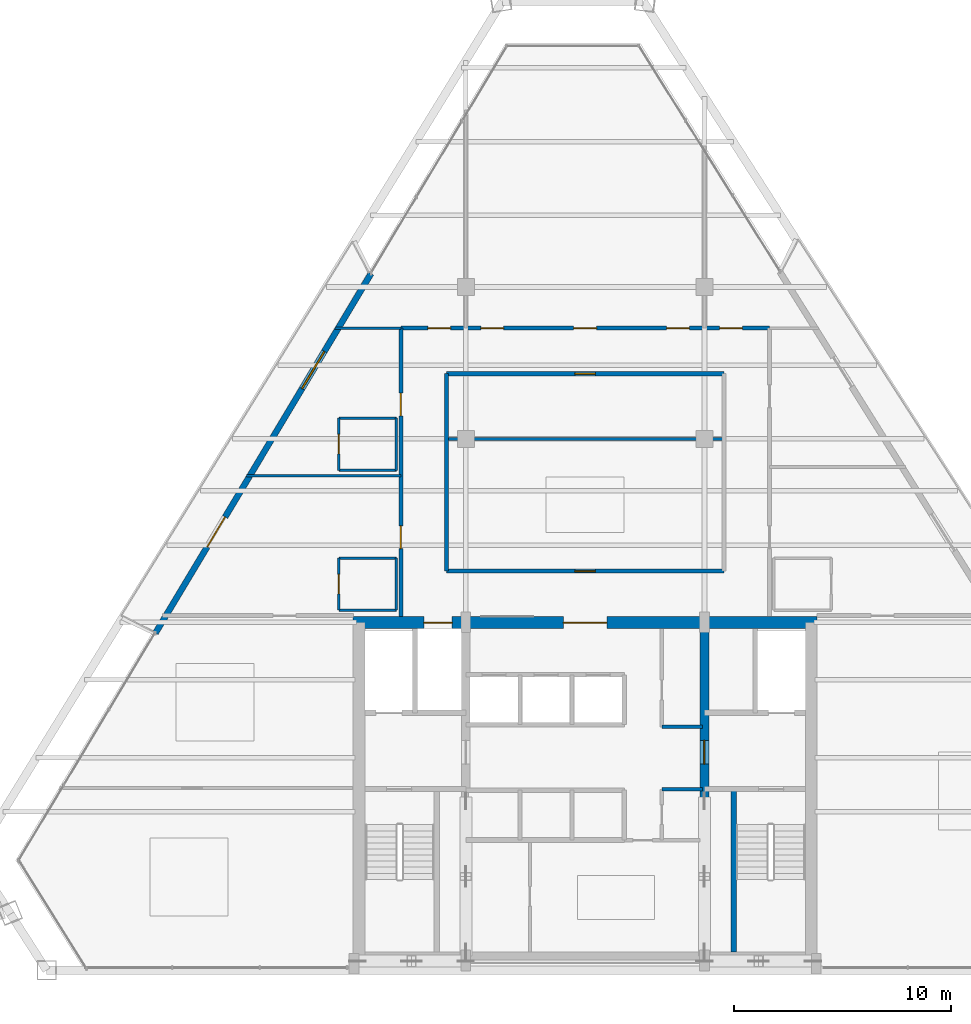
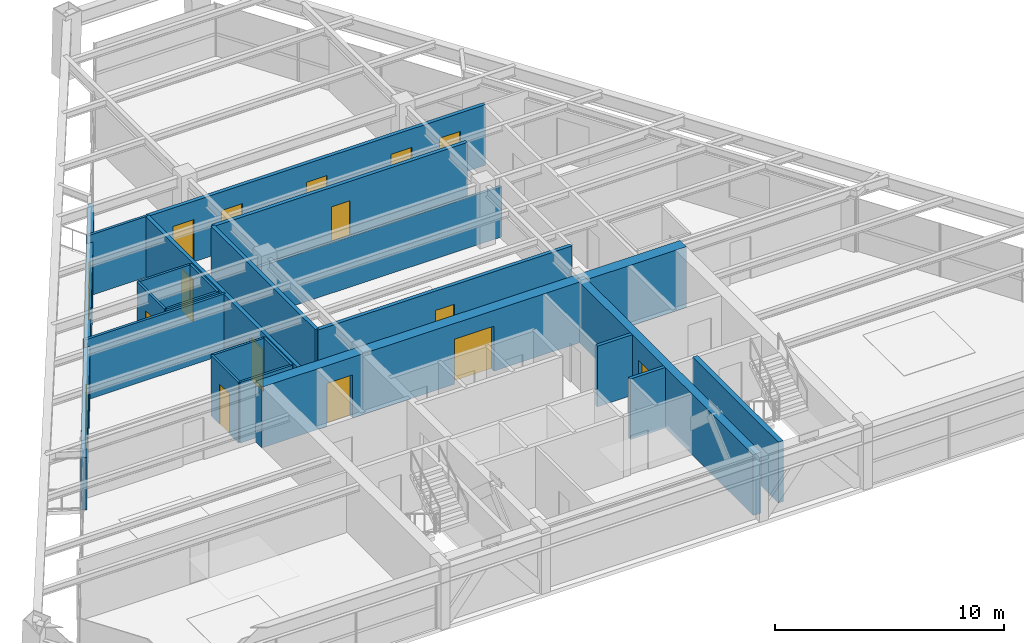
# One storey, part 9 of 12: 22 walls, 15 doors, 1 window, 16 openings.
"""IFC4 building model written with IfcOpenShell, lengths in metres."""

from ifc_helpers import new_model, si_unit, direction, frame, frame_2d, origin, place, context, subcontext, project, spatial, rectangle, extrude, source, transform, mapped, material, layer, layer_set, type_object, type_shapes, element, fill, save


model = new_model("IFC4")

# Units and contexts
model_context = context("Model", 3, precision=1e-05, world=origin(), true_north=direction((0.0, 1.0)))
body_context = subcontext(model_context, "Body", "Model", "MODEL_VIEW")
ifc_project = project(units=[si_unit("LENGTHUNIT", "METRE"), si_unit("AREAUNIT", "SQUARE_METRE"), si_unit("VOLUMEUNIT", "CUBIC_METRE"), si_unit("PLANEANGLEUNIT", "RADIAN"), si_unit("MASSUNIT", "GRAM", prefix="KILO")], contexts=[model_context])

# Site, building, storey
site_placement = place(None, origin())
site = spatial("IfcSite", under=ifc_project, at=site_placement, CompositionType="ELEMENT")
building_placement = place(site_placement, origin())
building = spatial("IfcBuilding", under=site, at=building_placement, Name="Varnakhor Terracotta Tower", CompositionType="ELEMENT")
storey_placement = place(building_placement, frame((0.0, 0.0, 220.0)))
storey = spatial("IfcBuildingStorey", under=building, at=storey_placement, Name="L56", CompositionType="ELEMENT", Elevation=220.0)

# Walls
ifc_material_1 = material(Name="Moisture-Resistant Tile-Backed Partition", Category="gypsum")
ifc_layer_1 = layer(ifc_material_1, 0.114990234375, Name="Moisture-Resistant Tile-Backed Partition")
ifc_layer_set_1 = layer_set([ifc_layer_1], Name="Moisture-Resistant Tile-Backed Partition")
wall_type_1 = type_object("IfcWallType", Name="WAL-BATH-115", PredefinedType="PARTITIONING", material=ifc_layer_set_1)
for number, where, z_axis, x_axis, name in (
    (1, (-11.35009765625, 16.60009765625, 0.0), (0.0, 0.0, 1.0), (1.0, 0.0, 0.0), "L56 En-Suite 1 Wall S"),
    (2, (-11.35009765625, 19.0, 0.0), (0.0, 0.0, 1.0), (1.0, 0.0, 0.0), "L56 En-Suite 1 Wall N"),
):
    element("IfcWall", number, at=place(storey_placement, frame(where, z_axis=z_axis, x_axis=x_axis)), inside=storey, type_object=wall_type_1, Name=name, PredefinedType="PARTITIONING", context=body_context, shape_type="SweptSolid", body=[
        extrude(rectangle(XDim=2.650146484375, YDim=0.114990234375, at=frame_2d((1.3251953125, 0.0))), origin(), (0.0, 0.0, 1.0), 3.23193359375),
    ])

# Wall, opening, door
wall_1_placement = place(storey_placement, frame((-11.35009765625, 16.60009765625, 0.0), z_axis=(0.0, 0.0, 1.0), x_axis=(0.0, 1.0, 0.0)))
wall_1 = element("IfcWall", 3, at=wall_1_placement, inside=storey, type_object=wall_type_1, Name="L56 En-Suite 1 Wall W", PredefinedType="PARTITIONING", context=body_context, shape_type="SweptSolid", body=[
    extrude(rectangle(XDim=2.39990234375, YDim=0.114990234375, at=frame_2d((1.199951171875, 0.0))), origin(), (0.0, 0.0, 1.0), 3.23193359375),
])
opening_1_placement = place(wall_1_placement, frame((0.75, 0.0, 0.0)))
opening_1 = element("IfcOpeningElement", 4, at=opening_1_placement, cuts=wall_1, Name="Opening DR-93", PredefinedType="OPENING", context=body_context, shape_type="SweptSolid", body=[
    extrude(rectangle(XDim=0.89990234375, YDim=2.14990234375, at=frame_2d((0.449951171875, 1.074951171875))), frame((0.0, 0.0673828125, 0.0), z_axis=(0.0, -1.0, 0.0), x_axis=(1.0, 0.0, 0.0)), (0.0, 0.0, 1.0), 0.135009765625),
])
ifc_material_2 = material(Name="Moisture-Resistant Accessible Bathroom Door", Category="wood")
door_type_1 = type_object("IfcDoorType", Name="DR-BATH-900X2150", OperationType="NOTDEFINED", PredefinedType="DOOR", material=ifc_material_2)
shared_shape_1 = source(origin(), body_context, "Body", "SweptSolid", [
    extrude(rectangle(XDim=0.89990234375, YDim=2.14990234375, at=frame_2d((0.449951171875, 1.074951171875))), frame((0.0, 0.02490234375, 0.0), z_axis=(0.0, -1.0, 0.0), x_axis=(1.0, 0.0, 0.0)), (0.0, 0.0, 1.0), 0.050048828125),
])
type_shapes(door_type_1, [shared_shape_1])
door_1_placement = place(opening_1_placement, origin())
door_1 = element("IfcDoor", 5, at=door_1_placement, inside=storey, type_object=door_type_1, Name="L56 En-Suite Bathroom 1 Door", OperationType="SINGLE_SWING_LEFT", OverallHeight=2.14990234375, OverallWidth=0.89990234375, PredefinedType="DOOR", context=body_context, shape_type="MappedRepresentation", body=[
    mapped(shared_shape_1, transform((0.0, 0.0, 0.0), scale=1.0)),
])
fill(opening_1, door_1)

# Walls
wall_2_placement = place(storey_placement, frame((-8.699951171875, 16.60009765625, 0.0), z_axis=(0.0, 0.0, 1.0), x_axis=(0.0, 1.0, 0.0)))
element("IfcWall", 6, at=wall_2_placement, inside=storey, type_object=wall_type_1, Name="L56 En-Suite 1 Wall E", PredefinedType="PARTITIONING", context=body_context, shape_type="SweptSolid", body=[
    extrude(rectangle(XDim=2.39990234375, YDim=0.114990234375, at=frame_2d((1.199951171875, 0.0))), origin(), (0.0, 0.0, 1.0), 3.23193359375),
])
for number, where, z_axis, x_axis, name in (
    (7, (-11.35009765625, 23.050048828125, 0.0), (0.0, 0.0, 1.0), (1.0, 0.0, 0.0), "L56 En-Suite 2 Wall S"),
    (8, (-11.35009765625, 25.449951171875, 0.0), (0.0, 0.0, 1.0), (1.0, 0.0, 0.0), "L56 En-Suite 2 Wall N"),
):
    element("IfcWall", number, at=place(storey_placement, frame(where, z_axis=z_axis, x_axis=x_axis)), inside=storey, type_object=wall_type_1, Name=name, PredefinedType="PARTITIONING", context=body_context, shape_type="SweptSolid", body=[
        extrude(rectangle(XDim=2.650146484375, YDim=0.114990234375, at=frame_2d((1.3251953125, 0.0))), origin(), (0.0, 0.0, 1.0), 3.23193359375),
    ])

# Wall, opening, door
wall_3_placement = place(storey_placement, frame((-11.35009765625, 23.050048828125, 0.0), z_axis=(0.0, 0.0, 1.0), x_axis=(0.0, 1.0, 0.0)))
wall_3 = element("IfcWall", 9, at=wall_3_placement, inside=storey, type_object=wall_type_1, Name="L56 En-Suite 2 Wall W", PredefinedType="PARTITIONING", context=body_context, shape_type="SweptSolid", body=[
    extrude(rectangle(XDim=2.39990234375, YDim=0.114990234375, at=frame_2d((1.199951171875, 0.0))), origin(), (0.0, 0.0, 1.0), 3.23193359375),
])
opening_2_placement = place(wall_3_placement, frame((0.75, 0.0, 0.0)))
opening_2 = element("IfcOpeningElement", 10, at=opening_2_placement, cuts=wall_3, Name="Opening DR-93", PredefinedType="OPENING", context=body_context, shape_type="SweptSolid", body=[
    extrude(rectangle(XDim=0.89990234375, YDim=2.14990234375, at=frame_2d((0.449951171875, 1.074951171875))), frame((0.0, 0.0673828125, 0.0), z_axis=(0.0, -1.0, 0.0), x_axis=(1.0, 0.0, 0.0)), (0.0, 0.0, 1.0), 0.135009765625),
])
door_2_placement = place(opening_2_placement, origin())
door_2 = element("IfcDoor", 11, at=door_2_placement, inside=storey, type_object=door_type_1, Name="L56 En-Suite Bathroom 2 Door", OperationType="SINGLE_SWING_LEFT", OverallHeight=2.14990234375, OverallWidth=0.89990234375, PredefinedType="DOOR", context=body_context, shape_type="MappedRepresentation", body=[
    mapped(shared_shape_1, transform((0.0, 0.0, 0.0), scale=1.0)),
])
fill(opening_2, door_2)

# Wall
wall_4_placement = place(storey_placement, frame((-8.699951171875, 23.050048828125, 0.0), z_axis=(0.0, 0.0, 1.0), x_axis=(0.0, 1.0, 0.0)))
element("IfcWall", 12, at=wall_4_placement, inside=storey, type_object=wall_type_1, Name="L56 En-Suite 2 Wall E", PredefinedType="PARTITIONING", context=body_context, shape_type="SweptSolid", body=[
    extrude(rectangle(XDim=2.39990234375, YDim=0.114990234375, at=frame_2d((1.199951171875, 0.0))), origin(), (0.0, 0.0, 1.0), 3.23193359375),
])

# Wall, openings, doors
ifc_material_3 = material(Name="Concrete C50/60", Category="concrete")
ifc_layer_2 = layer(ifc_material_3, 0.550048828125, Name="Concrete C50/60")
ifc_layer_set_2 = layer_set([ifc_layer_2], Name="Concrete C50/60")
wall_type_2 = type_object("IfcWallType", Name="WAL-CORE-550", PredefinedType="SHEAR", material=ifc_layer_set_2)
wall_5_placement = place(storey_placement, frame((-10.699951171875, 16.02490234375, 0.0), z_axis=(0.0, 0.0, 1.0), x_axis=(1.0, 0.0, 0.0)))
wall_5 = element("IfcWall", 13, at=wall_5_placement, inside=storey, type_object=wall_type_2, Name="L56 North Core Shear Wall", PredefinedType="SHEAR", context=body_context, shape_type="SweptSolid", body=[
    extrude(rectangle(XDim=21.39990234375, YDim=0.550048828125, at=frame_2d((10.699951171875, 0.0))), origin(), (0.0, 0.0, 1.0), 3.239990234375),
])
opening_3_placement = place(wall_5_placement, frame((3.27001953125, 0.0, 0.0)))
opening_3 = element("IfcOpeningElement", 14, at=opening_3_placement, cuts=wall_5, Name="Opening LD-03", PredefinedType="OPENING", context=body_context, shape_type="SweptSolid", body=[
    extrude(rectangle(XDim=1.300048828125, YDim=2.300048828125, at=frame_2d((0.64990234375, 1.14990234375))), frame((0.0, 0.28515625, 0.0), z_axis=(0.0, -1.0, 0.0), x_axis=(1.0, 0.0, 0.0)), (0.0, 0.0, 1.0), 0.570068359375),
])
opening_4_placement = place(wall_5_placement, frame((9.699951171875, 0.0, 0.0)))
opening_4 = element("IfcOpeningElement", 15, at=opening_4_placement, cuts=wall_5, Name="Opening DR-32", PredefinedType="OPENING", context=body_context, shape_type="SweptSolid", body=[
    extrude(rectangle(XDim=2.0, YDim=2.39990234375, at=frame_2d((1.0, 1.199951171875))), frame((0.0, 0.28515625, 0.0), z_axis=(0.0, -1.0, 0.0), x_axis=(1.0, 0.0, 0.0)), (0.0, 0.0, 1.0), 0.570068359375),
])
ifc_material_4 = material(Name="Heavy-Duty Goods Sliding Lift Landing Door", Category="steel")
door_type_2 = type_object("IfcDoorType", Name="LD-SRV-1300X2300", OperationType="NOTDEFINED", PredefinedType="DOOR", material=ifc_material_4)
shared_shape_2 = source(origin(), body_context, "Body", "SweptSolid", [
    extrude(rectangle(XDim=1.300048828125, YDim=2.300048828125, at=frame_2d((0.64990234375, 1.14990234375))), frame((0.0, 0.02490234375, 0.0), z_axis=(0.0, -1.0, 0.0), x_axis=(1.0, 0.0, 0.0)), (0.0, 0.0, 1.0), 0.050048828125),
])
type_shapes(door_type_2, [shared_shape_2])
door_3_placement = place(opening_3_placement, origin())
door_3 = element("IfcDoor", 16, at=door_3_placement, inside=storey, type_object=door_type_2, Name="L56 Service Lift SVL-1 Landing Door", OperationType="SLIDING_TO_RIGHT", OverallHeight=2.300048828125, OverallWidth=1.300048828125, PredefinedType="DOOR", context=body_context, shape_type="MappedRepresentation", body=[
    mapped(shared_shape_2, transform((0.0, 0.0, 0.0), scale=1.0)),
])
fill(opening_3, door_3)
ifc_material_5 = material(Name="Acoustic Double Assembly Fire Door", Category="wood")
door_type_3 = type_object("IfcDoorType", Name="DR-HALL-2000X2400", OperationType="NOTDEFINED", PredefinedType="DOOR", material=ifc_material_5)
shared_shape_3 = source(origin(), body_context, "Body", "SweptSolid", [
    extrude(rectangle(XDim=2.0, YDim=2.39990234375, at=frame_2d((1.0, 1.199951171875))), frame((0.0, 0.02490234375, 0.0), z_axis=(0.0, -1.0, 0.0), x_axis=(1.0, 0.0, 0.0)), (0.0, 0.0, 1.0), 0.050048828125),
])
type_shapes(door_type_3, [shared_shape_3])
door_4_placement = place(opening_4_placement, origin())
door_4 = element("IfcDoor", 17, at=door_4_placement, inside=storey, type_object=door_type_3, Name="L56 Core Main Lobby Double Door", OperationType="DOUBLE_DOOR_SINGLE_SWING", OverallHeight=2.39990234375, OverallWidth=2.0, PredefinedType="DOOR", context=body_context, shape_type="MappedRepresentation", body=[
    mapped(shared_shape_3, transform((0.0, 0.0, 0.0), scale=1.0)),
])
fill(opening_4, door_4)

# Wall, opening, door
ifc_layer_3 = layer(ifc_material_3, 0.39990234375, Name="Concrete C50/60")
ifc_layer_set_3 = layer_set([ifc_layer_3], Name="Concrete C50/60")
wall_type_3 = type_object("IfcWallType", Name="WAL-CORE-WEB-400", PredefinedType="SHEAR", material=ifc_layer_set_3)
wall_6_placement = place(storey_placement, frame((5.5, 0.574951171875, 0.0), z_axis=(0.0, 0.0, 1.0), x_axis=(0.0, 1.0, 0.0)))
wall_6 = element("IfcWall", 18, at=wall_6_placement, inside=storey, type_object=wall_type_3, Name="L56 East Core Web Shear Wall", PredefinedType="SHEAR", context=body_context, shape_type="SweptSolid", body=[
    extrude(rectangle(XDim=15.449951171875, YDim=0.39990234375, at=frame_2d((7.72509765625, 0.0))), origin(), (0.0, 0.0, 1.0), 3.239990234375),
])
opening_5_placement = place(wall_6_placement, frame((8.925048828125, 0.0, 0.0)))
opening_5 = element("IfcOpeningElement", 19, at=opening_5_placement, cuts=wall_6, Name="Opening DR-25", PredefinedType="OPENING", context=body_context, shape_type="SweptSolid", body=[
    extrude(rectangle(XDim=1.10009765625, YDim=2.199951171875, at=frame_2d((0.550048828125, 1.10009765625))), frame((0.0, 0.2099609375, 0.0), z_axis=(0.0, -1.0, 0.0), x_axis=(1.0, 0.0, 0.0)), (0.0, 0.0, 1.0), 0.419921875),
])
ifc_material_6 = material(Name="Firefighting Lobby Self-Closing Fire Door", Category="steel")
door_type_4 = type_object("IfcDoorType", Name="DR-FFL-1100X2200", OperationType="NOTDEFINED", PredefinedType="DOOR", material=ifc_material_6)
shared_shape_4 = source(origin(), body_context, "Body", "SweptSolid", [
    extrude(rectangle(XDim=1.10009765625, YDim=2.199951171875, at=frame_2d((0.550048828125, 1.10009765625))), frame((0.0, 0.02490234375, 0.0), z_axis=(0.0, -1.0, 0.0), x_axis=(1.0, 0.0, 0.0)), (0.0, 0.0, 1.0), 0.050048828125),
])
type_shapes(door_type_4, [shared_shape_4])
door_5_placement = place(opening_5_placement, origin())
door_5 = element("IfcDoor", 20, at=door_5_placement, inside=storey, type_object=door_type_4, Name="L56 East Firefighting Lobby Door", OperationType="SINGLE_SWING_RIGHT", OverallHeight=2.199951171875, OverallWidth=1.10009765625, PredefinedType="DOOR", context=body_context, shape_type="MappedRepresentation", body=[
    mapped(shared_shape_4, transform((0.0, 0.0, 0.0), scale=1.0)),
])
fill(opening_5, door_5)

ifc_material_7 = material(Name="Fire-Rated Gypsum Stud Partition", Category="gypsum")
ifc_layer_4 = layer(ifc_material_7, 0.18505859375, Name="Fire-Rated Gypsum Stud Partition")
ifc_layer_set_4 = layer_set([ifc_layer_4], Name="Fire-Rated Gypsum Stud Partition")
wall_type_4 = type_object("IfcWallType", Name="WAL-CORR-185", PredefinedType="PARTITIONING", material=ifc_layer_set_4)
wall_7_placement = place(storey_placement, frame((-6.39990234375, 18.39990234375, 0.0), z_axis=(0.0, 0.0, 1.0), x_axis=(1.0, 0.0, 0.0)))
wall_7 = element("IfcWall", 21, at=wall_7_placement, inside=storey, type_object=wall_type_4, Name="L56 Ring Inner South Wall", PredefinedType="PARTITIONING", context=body_context, shape_type="SweptSolid", body=[
    extrude(rectangle(XDim=12.7998046875, YDim=0.18505859375, at=frame_2d((6.39990234375, 0.0))), origin(), (0.0, 0.0, 1.0), 3.23193359375),
])
opening_6_placement = place(wall_7_placement, frame((5.925048828125, 0.0, 0.0)))
opening_6 = element("IfcOpeningElement", 22, at=opening_6_placement, cuts=wall_7, Name="Opening DR-94", PredefinedType="OPENING", context=body_context, shape_type="SweptSolid", body=[
    extrude(rectangle(XDim=0.949951171875, YDim=2.199951171875, at=frame_2d((0.47509765625, 1.10009765625))), frame((0.0, 0.1025390625, 0.0), z_axis=(0.0, -1.0, 0.0), x_axis=(1.0, 0.0, 0.0)), (0.0, 0.0, 1.0), 0.205078125),
])
ifc_material_8 = material(Name="Acoustic Glazed-Vision Timber Office Door", Category="wood")
door_type_5 = type_object("IfcDoorType", Name="DR-OFF-950X2200", OperationType="NOTDEFINED", PredefinedType="DOOR", material=ifc_material_8)
shared_shape_5 = source(origin(), body_context, "Body", "SweptSolid", [
    extrude(rectangle(XDim=0.949951171875, YDim=2.199951171875, at=frame_2d((0.47509765625, 1.10009765625))), frame((0.0, 0.02490234375, 0.0), z_axis=(0.0, -1.0, 0.0), x_axis=(1.0, 0.0, 0.0)), (0.0, 0.0, 1.0), 0.050048828125),
])
type_shapes(door_type_5, [shared_shape_5])
door_6_placement = place(opening_6_placement, origin())
door_6 = element("IfcDoor", 23, at=door_6_placement, inside=storey, type_object=door_type_5, Name="L56 Housekeeping Station Door", OperationType="SINGLE_SWING_LEFT", OverallHeight=2.199951171875, OverallWidth=0.949951171875, PredefinedType="DOOR", context=body_context, shape_type="MappedRepresentation", body=[
    mapped(shared_shape_5, transform((0.0, 0.0, 0.0), scale=1.0)),
])
fill(opening_6, door_6)

wall_8_placement = place(storey_placement, frame((-6.39990234375, 27.5, 0.0), z_axis=(0.0, 0.0, 1.0), x_axis=(1.0, 0.0, 0.0)))
wall_8 = element("IfcWall", 24, at=wall_8_placement, inside=storey, type_object=wall_type_4, Name="L56 Ring Inner North Wall", PredefinedType="PARTITIONING", context=body_context, shape_type="SweptSolid", body=[
    extrude(rectangle(XDim=12.7998046875, YDim=0.18505859375, at=frame_2d((6.39990234375, 0.0))), origin(), (0.0, 0.0, 1.0), 3.23193359375),
])
opening_7_placement = place(wall_8_placement, frame((5.925048828125, 0.0, 0.0)))
opening_7 = element("IfcOpeningElement", 25, at=opening_7_placement, cuts=wall_8, Name="Opening DR-94", PredefinedType="OPENING", context=body_context, shape_type="SweptSolid", body=[
    extrude(rectangle(XDim=0.949951171875, YDim=2.199951171875, at=frame_2d((0.47509765625, 1.10009765625))), frame((0.0, 0.1025390625, 0.0), z_axis=(0.0, -1.0, 0.0), x_axis=(1.0, 0.0, 0.0)), (0.0, 0.0, 1.0), 0.205078125),
])
door_7_placement = place(opening_7_placement, origin())
door_7 = element("IfcDoor", 26, at=door_7_placement, inside=storey, type_object=door_type_5, Name="L56 Inner Service Door", OperationType="SINGLE_SWING_RIGHT", OverallHeight=2.199951171875, OverallWidth=0.949951171875, PredefinedType="DOOR", context=body_context, shape_type="MappedRepresentation", body=[
    mapped(shared_shape_5, transform((0.0, 0.0, 0.0), scale=1.0)),
])
fill(opening_7, door_7)

# Wall
wall_9_placement = place(storey_placement, frame((-6.39990234375, 18.39990234375, 0.0), z_axis=(0.0, 0.0, 1.0), x_axis=(0.0, 1.0, 0.0)))
element("IfcWall", 27, at=wall_9_placement, inside=storey, type_object=wall_type_4, Name="L56 Ring Inner West Wall", PredefinedType="PARTITIONING", context=body_context, shape_type="SweptSolid", body=[
    extrude(rectangle(XDim=9.10009765625, YDim=0.18505859375, at=frame_2d((4.550048828125, 0.0))), origin(), (0.0, 0.0, 1.0), 3.23193359375),
])

# Wall, openings, doors
wall_10_placement = place(storey_placement, frame((-8.5, 16.300048828125, 0.0), z_axis=(0.0, 0.0, 1.0), x_axis=(0.0, 1.0, 0.0)))
wall_10 = element("IfcWall", 28, at=wall_10_placement, inside=storey, type_object=wall_type_4, Name="L56 Hotel West Corridor Wall", PredefinedType="PARTITIONING", context=body_context, shape_type="SweptSolid", body=[
    extrude(rectangle(XDim=13.300048828125, YDim=0.18505859375, at=frame_2d((6.64990234375, 0.0))), origin(), (0.0, 0.0, 1.0), 3.23193359375),
])
opening_8_placement = place(wall_10_placement, frame((3.135986328125, 0.0, 0.0)))
opening_8 = element("IfcOpeningElement", 29, at=opening_8_placement, cuts=wall_10, Name="Opening DR-95", PredefinedType="OPENING", context=body_context, shape_type="SweptSolid", body=[
    extrude(rectangle(XDim=1.050048828125, YDim=2.25, at=frame_2d((0.52490234375, 1.125))), frame((0.0, 0.1025390625, 0.0), z_axis=(0.0, -1.0, 0.0), x_axis=(1.0, 0.0, 0.0)), (0.0, 0.0, 1.0), 0.205078125),
])
opening_9_placement = place(wall_10_placement, frame((9.25634765625, 0.0, 0.0)))
opening_9 = element("IfcOpeningElement", 30, at=opening_9_placement, cuts=wall_10, Name="Opening DR-95", PredefinedType="OPENING", context=body_context, shape_type="SweptSolid", body=[
    extrude(rectangle(XDim=1.050048828125, YDim=2.25, at=frame_2d((0.52490234375, 1.125))), frame((0.0, 0.1025390625, 0.0), z_axis=(0.0, -1.0, 0.0), x_axis=(1.0, 0.0, 0.0)), (0.0, 0.0, 1.0), 0.205078125),
])
ifc_material_9 = material(Name="Solid-Core Timber Tenant/Hotel Entrance Door", Category="wood")
door_type_6 = type_object("IfcDoorType", Name="DR-SUITE-1050X2250", OperationType="NOTDEFINED", PredefinedType="DOOR", material=ifc_material_9)
shared_shape_6 = source(origin(), body_context, "Body", "SweptSolid", [
    extrude(rectangle(XDim=1.050048828125, YDim=2.25, at=frame_2d((0.52490234375, 1.125))), frame((0.0, 0.02490234375, 0.0), z_axis=(0.0, -1.0, 0.0), x_axis=(1.0, 0.0, 0.0)), (0.0, 0.0, 1.0), 0.050048828125),
])
type_shapes(door_type_6, [shared_shape_6])
door_8_placement = place(opening_8_placement, origin())
door_8 = element("IfcDoor", 31, at=door_8_placement, inside=storey, type_object=door_type_6, Name="L56 West Room 1 Entry Door", OperationType="SINGLE_SWING_RIGHT", OverallHeight=2.25, OverallWidth=1.050048828125, PredefinedType="DOOR", context=body_context, shape_type="MappedRepresentation", body=[
    mapped(shared_shape_6, transform((0.0, 0.0, 0.0), scale=1.0)),
])
fill(opening_8, door_8)
door_9_placement = place(opening_9_placement, origin())
door_9 = element("IfcDoor", 32, at=door_9_placement, inside=storey, type_object=door_type_6, Name="L56 West Room 2 Entry Door", OperationType="SINGLE_SWING_RIGHT", OverallHeight=2.25, OverallWidth=1.050048828125, PredefinedType="DOOR", context=body_context, shape_type="MappedRepresentation", body=[
    mapped(shared_shape_6, transform((0.0, 0.0, 0.0), scale=1.0)),
])
fill(opening_9, door_9)

wall_11_placement = place(storey_placement, frame((-8.5, 29.60009765625, 0.0), z_axis=(0.0, 0.0, 1.0), x_axis=(1.0, 0.0, 0.0)))
wall_11 = element("IfcWall", 33, at=wall_11_placement, inside=storey, type_object=wall_type_4, Name="L56 Hotel North Corridor Wall", PredefinedType="PARTITIONING", context=body_context, shape_type="SweptSolid", body=[
    extrude(rectangle(XDim=17.0, YDim=0.18505859375, at=frame_2d((8.5, 0.0))), origin(), (0.0, 0.0, 1.0), 3.23193359375),
])
opening_10_placement = place(wall_11_placement, frame((3.697509765625, 0.0, 0.0)))
opening_10 = element("IfcOpeningElement", 34, at=opening_10_placement, cuts=wall_11, Name="Opening DR-95", PredefinedType="OPENING", context=body_context, shape_type="SweptSolid", body=[
    extrude(rectangle(XDim=1.050048828125, YDim=2.25, at=frame_2d((0.52490234375, 1.125))), frame((0.0, 0.1025390625, 0.0), z_axis=(0.0, -1.0, 0.0), x_axis=(1.0, 0.0, 0.0)), (0.0, 0.0, 1.0), 0.205078125),
])
opening_11_placement = place(wall_11_placement, frame((7.97509765625, 0.0, 0.0)))
opening_11 = element("IfcOpeningElement", 35, at=opening_11_placement, cuts=wall_11, Name="Opening DR-95", PredefinedType="OPENING", context=body_context, shape_type="SweptSolid", body=[
    extrude(rectangle(XDim=1.050048828125, YDim=2.25, at=frame_2d((0.52490234375, 1.125))), frame((0.0, 0.1025390625, 0.0), z_axis=(0.0, -1.0, 0.0), x_axis=(1.0, 0.0, 0.0)), (0.0, 0.0, 1.0), 0.205078125),
])
opening_12_placement = place(wall_11_placement, frame((12.25244140625, 0.0, 0.0)))
opening_12 = element("IfcOpeningElement", 36, at=opening_12_placement, cuts=wall_11, Name="Opening DR-95", PredefinedType="OPENING", context=body_context, shape_type="SweptSolid", body=[
    extrude(rectangle(XDim=1.050048828125, YDim=2.25, at=frame_2d((0.52490234375, 1.125))), frame((0.0, 0.1025390625, 0.0), z_axis=(0.0, -1.0, 0.0), x_axis=(1.0, 0.0, 0.0)), (0.0, 0.0, 1.0), 0.205078125),
])
opening_13_placement = place(wall_11_placement, frame((14.697509765625, 0.0, 0.0)))
opening_13 = element("IfcOpeningElement", 37, at=opening_13_placement, cuts=wall_11, Name="Opening DR-95", PredefinedType="OPENING", context=body_context, shape_type="SweptSolid", body=[
    extrude(rectangle(XDim=1.050048828125, YDim=2.25, at=frame_2d((0.52490234375, 1.125))), frame((0.0, 0.1025390625, 0.0), z_axis=(0.0, -1.0, 0.0), x_axis=(1.0, 0.0, 0.0)), (0.0, 0.0, 1.0), 0.205078125),
])
opening_14_placement = place(wall_11_placement, frame((1.25244140625, 0.0, 0.0)))
opening_14 = element("IfcOpeningElement", 38, at=opening_14_placement, cuts=wall_11, Name="Opening DR-95", PredefinedType="OPENING", context=body_context, shape_type="SweptSolid", body=[
    extrude(rectangle(XDim=1.050048828125, YDim=2.25, at=frame_2d((0.52490234375, 1.125))), frame((0.0, 0.1025390625, 0.0), z_axis=(0.0, -1.0, 0.0), x_axis=(1.0, 0.0, 0.0)), (0.0, 0.0, 1.0), 0.205078125),
])
door_10_placement = place(opening_10_placement, origin())
door_10 = element("IfcDoor", 39, at=door_10_placement, inside=storey, type_object=door_type_6, Name="L56 North Suite 1 Entry Door", OperationType="SINGLE_SWING_LEFT", OverallHeight=2.25, OverallWidth=1.050048828125, PredefinedType="DOOR", context=body_context, shape_type="MappedRepresentation", body=[
    mapped(shared_shape_6, transform((0.0, 0.0, 0.0), scale=1.0)),
])
fill(opening_10, door_10)
door_11_placement = place(opening_11_placement, origin())
door_11 = element("IfcDoor", 40, at=door_11_placement, inside=storey, type_object=door_type_6, Name="L56 North Suite 2 Entry Door", OperationType="SINGLE_SWING_RIGHT", OverallHeight=2.25, OverallWidth=1.050048828125, PredefinedType="DOOR", context=body_context, shape_type="MappedRepresentation", body=[
    mapped(shared_shape_6, transform((0.0, 0.0, 0.0), scale=1.0)),
])
fill(opening_11, door_11)
door_12_placement = place(opening_12_placement, origin())
door_12 = element("IfcDoor", 41, at=door_12_placement, inside=storey, type_object=door_type_6, Name="L56 North Suite 3 Entry Door", OperationType="SINGLE_SWING_LEFT", OverallHeight=2.25, OverallWidth=1.050048828125, PredefinedType="DOOR", context=body_context, shape_type="MappedRepresentation", body=[
    mapped(shared_shape_6, transform((0.0, 0.0, 0.0), scale=1.0)),
])
fill(opening_12, door_12)
door_13_placement = place(opening_13_placement, origin())
door_13 = element("IfcDoor", 42, at=door_13_placement, inside=storey, type_object=door_type_6, Name="L56 Executive Partner Office NE Door", OperationType="SINGLE_SWING_RIGHT", OverallHeight=2.25, OverallWidth=1.050048828125, PredefinedType="DOOR", context=body_context, shape_type="MappedRepresentation", body=[
    mapped(shared_shape_6, transform((0.0, 0.0, 0.0), scale=1.0)),
])
fill(opening_13, door_13)
door_14_placement = place(opening_14_placement, origin())
door_14 = element("IfcDoor", 43, at=door_14_placement, inside=storey, type_object=door_type_6, Name="L56 Executive Partner Office NW Door", OperationType="SINGLE_SWING_LEFT", OverallHeight=2.25, OverallWidth=1.050048828125, PredefinedType="DOOR", context=body_context, shape_type="MappedRepresentation", body=[
    mapped(shared_shape_6, transform((0.0, 0.0, 0.0), scale=1.0)),
])
fill(opening_14, door_14)

# Wall, openings, door, window
ifc_material_10 = material(Name="Extruded Architectural Terracotta Assembly", Category="masonry")
ifc_layer_5 = layer(ifc_material_10, 0.280029296875, Name="Extruded Architectural Terracotta Assembly")
ifc_layer_set_5 = layer_set([ifc_layer_5], Name="Extruded Architectural Terracotta Assembly")
wall_type_5 = type_object("IfcWallType", Name="WAL-EXT-TERRACOTTA-280", PredefinedType="SOLIDWALL", material=ifc_layer_set_5)
wall_12_placement = place(storey_placement, frame((-19.808349609375, 15.5458984375, 0.0), z_axis=(0.0, 0.0, 1.0), x_axis=(0.514354531287, 0.857577644382, 0.0)))
wall_12 = element("IfcWall", 44, at=wall_12_placement, inside=storey, type_object=wall_type_5, Name="L56 W Loggia Insulated Terracotta Wall", PredefinedType="SOLIDWALL", context=body_context, shape_type="SweptSolid", body=[
    extrude(rectangle(XDim=19.322265625, YDim=0.280029296875, at=frame_2d((9.6611328125, 0.0))), origin(), (0.0, 0.0, 1.0), 2.820068359375),
])
opening_15_placement = place(wall_12_placement, frame((4.63720703125, 0.0, 0.0)))
opening_15 = element("IfcOpeningElement", 45, at=opening_15_placement, cuts=wall_12, Name="Opening DR-62", PredefinedType="OPENING", context=body_context, shape_type="SweptSolid", body=[
    extrude(rectangle(XDim=1.60009765625, YDim=2.35009765625, at=frame_2d((0.800048828125, 1.175048828125))), frame((0.0, 0.14990234375, 0.0), z_axis=(0.0, -1.0, 0.0), x_axis=(1.0, 0.0, 0.0)), (0.0, 0.0, 1.0), 0.300048828125),
])
opening_16_placement = place(wall_12_placement, frame((13.13916015625, 0.0, 0.89990234375)))
opening_16 = element("IfcOpeningElement", 46, at=opening_16_placement, cuts=wall_12, Name="Opening WN-63", PredefinedType="OPENING", context=body_context, shape_type="SweptSolid", body=[
    extrude(rectangle(XDim=2.0, YDim=1.75, at=frame_2d((1.0, 0.875))), frame((0.0, 0.14990234375, 0.0), z_axis=(0.0, -1.0, 0.0), x_axis=(1.0, 0.0, 0.0)), (0.0, 0.0, 1.0), 0.300048828125),
])
ifc_material_11 = material(Name="Thermally Broken Sliding Glass Loggia Door", Category="glass")
door_type_7 = type_object("IfcDoorType", Name="DR-EXT-LOGGIA-1600X2350", OperationType="NOTDEFINED", PredefinedType="DOOR", material=ifc_material_11)
shared_shape_7 = source(origin(), body_context, "Body", "SweptSolid", [
    extrude(rectangle(XDim=1.60009765625, YDim=2.35009765625, at=frame_2d((0.800048828125, 1.175048828125))), frame((0.0, 0.02490234375, 0.0), z_axis=(0.0, -1.0, 0.0), x_axis=(1.0, 0.0, 0.0)), (0.0, 0.0, 1.0), 0.050048828125),
])
type_shapes(door_type_7, [shared_shape_7])
door_15_placement = place(opening_15_placement, origin())
door_15 = element("IfcDoor", 47, at=door_15_placement, inside=storey, type_object=door_type_7, Name="L56 W Recessed Loggia Sliding Door", OperationType="SLIDING_TO_LEFT", OverallHeight=2.35009765625, OverallWidth=1.60009765625, PredefinedType="DOOR", context=body_context, shape_type="MappedRepresentation", body=[
    mapped(shared_shape_7, transform((0.0, 0.0, 0.0), scale=1.0)),
])
fill(opening_15, door_15)
ifc_material_12 = material(Name="Solar-Control Low-E Insulated Glass Unit", Category="glass")
window_type = type_object("IfcWindowType", Name="WIN-HTL-2000X1950", PartitioningType="SINGLE_PANEL", PredefinedType="WINDOW", material=ifc_material_12)
shared_shape_8 = source(origin(), body_context, "Body", "SweptSolid", [
    extrude(rectangle(XDim=2.0, YDim=1.75, at=frame_2d((1.0, 0.875))), frame((0.0, 0.030029296875, 0.0), z_axis=(0.0, -1.0, 0.0), x_axis=(1.0, 0.0, 0.0)), (0.0, 0.0, 1.0), 0.06005859375),
])
type_shapes(window_type, [shared_shape_8])
window_placement = place(opening_16_placement, origin())
window = element("IfcWindow", 48, at=window_placement, inside=storey, type_object=window_type, Name="L56 W Facet Punched Window", OverallHeight=1.75, OverallWidth=2.0, PartitioningType="SINGLE_PANEL", PredefinedType="WINDOW", context=body_context, shape_type="MappedRepresentation", body=[
    mapped(shared_shape_8, transform((0.0, 0.0, 0.0), scale=1.0)),
])
fill(opening_16, window)

# Walls
ifc_material_13 = material(Name="Acoustic Hotel Room Partition", Category="gypsum")
ifc_layer_6 = layer(ifc_material_13, 0.1298828125, Name="Acoustic Hotel Room Partition")
ifc_layer_set_6 = layer_set([ifc_layer_6], Name="Acoustic Hotel Room Partition")
wall_type_6 = type_object("IfcWallType", Name="WAL-PART-130", PredefinedType="PARTITIONING", material=ifc_layer_set_6)
wall_13_placement = place(storey_placement, frame((-11.53076171875, 29.60009765625, 0.0), z_axis=(0.0, 0.0, 1.0), x_axis=(1.0, 0.0, 0.0)))
element("IfcWall", 49, at=wall_13_placement, inside=storey, type_object=wall_type_6, Name="L56 North West Suite South Wall", PredefinedType="PARTITIONING", context=body_context, shape_type="SweptSolid", body=[
    extrude(rectangle(XDim=3.03076171875, YDim=0.1298828125, at=frame_2d((1.515380859375, 0.0))), origin(), (0.0, 0.0, 1.0), 3.23193359375),
])
wall_14_placement = place(storey_placement, frame((-15.609130859375, 22.800048828125, 0.0), z_axis=(0.0, 0.0, 1.0), x_axis=(1.0, 0.0, 0.0)))
element("IfcWall", 50, at=wall_14_placement, inside=storey, type_object=wall_type_6, Name="L56 West Key Cut 1", PredefinedType="PARTITIONING", context=body_context, shape_type="SweptSolid", body=[
    extrude(rectangle(XDim=7.109130859375, YDim=0.1298828125, at=frame_2d((3.5546875, 0.0))), origin(), (0.0, 0.0, 1.0), 3.23193359375),
])
ifc_material_14 = material(Name="Acoustic Metal-Stud Partition", Category="gypsum")
ifc_layer_7 = layer(ifc_material_14, 0.139892578125, Name="Acoustic Metal-Stud Partition")
ifc_layer_set_7 = layer_set([ifc_layer_7], Name="Acoustic Metal-Stud Partition")
wall_type_7 = type_object("IfcWallType", Name="WAL-PART-140", PredefinedType="PARTITIONING", material=ifc_layer_set_7)
wall_15_placement = place(storey_placement, frame((-6.39990234375, 24.5, 0.0), z_axis=(0.0, 0.0, 1.0), x_axis=(1.0, 0.0, 0.0)))
element("IfcWall", 51, at=wall_15_placement, inside=storey, type_object=wall_type_7, Name="L56 Inner Service Split", PredefinedType="PARTITIONING", context=body_context, shape_type="SweptSolid", body=[
    extrude(rectangle(XDim=12.7998046875, YDim=0.139892578125, at=frame_2d((6.39990234375, 0.0))), origin(), (0.0, 0.0, 1.0), 2.68310546875),
])
ifc_material_15 = material(Name="Concrete C40/50", Category="concrete")
ifc_layer_8 = layer(ifc_material_15, 0.25, Name="Concrete C40/50")
ifc_layer_set_8 = layer_set([ifc_layer_8], Name="Concrete C40/50")
wall_type_8 = type_object("IfcWallType", Name="WAL-SHAFT-250", PredefinedType="SOLIDWALL", material=ifc_layer_set_8)
wall_16_placement = place(storey_placement, frame((6.85009765625, 0.85009765625, 0.0), z_axis=(0.0, 0.0, 1.0), x_axis=(0.0, 1.0, 0.0)))
element("IfcWall", 52, at=wall_16_placement, inside=storey, type_object=wall_type_8, Name="L56 Stair ST-2 Bearing Shaft Wall", PredefinedType="SOLIDWALL", context=body_context, shape_type="SweptSolid", body=[
    extrude(rectangle(XDim=7.5, YDim=0.25, at=frame_2d((3.75, 0.0))), origin(), (0.0, 0.0, 1.0), 3.239990234375),
])
ifc_material_16 = material(Name="Acoustic Fire-Rated Partition", Category="gypsum")
ifc_layer_9 = layer(ifc_material_16, 0.1650390625, Name="Acoustic Fire-Rated Partition")
ifc_layer_set_9 = layer_set([ifc_layer_9], Name="Acoustic Fire-Rated Partition")
wall_type_9 = type_object("IfcWallType", Name="WAL-TENANCY-165", PredefinedType="PARTITIONING", material=ifc_layer_set_9)
for number, where, z_axis, x_axis, name in (
    (53, (3.5400390625, 8.340087890625, 0.0), (0.0, 0.0, 1.0), (1.0, 0.0, 0.0), "L56 Accessible WC North Wall"),
    (54, (3.5400390625, 11.219970703125, 0.0), (0.0, 0.0, 1.0), (1.0, 0.0, 0.0), "L56 Restroom South Wall"),
):
    element("IfcWall", number, at=place(storey_placement, frame(where, z_axis=z_axis, x_axis=x_axis)), inside=storey, type_object=wall_type_9, Name=name, PredefinedType="PARTITIONING", context=body_context, shape_type="SweptSolid", body=[
        extrude(rectangle(XDim=1.8798828125, YDim=0.1650390625, at=frame_2d((0.93994140625, 0.0))), origin(), (0.0, 0.0, 1.0), 3.23193359375),
    ])

save(model, "model.ifc")
